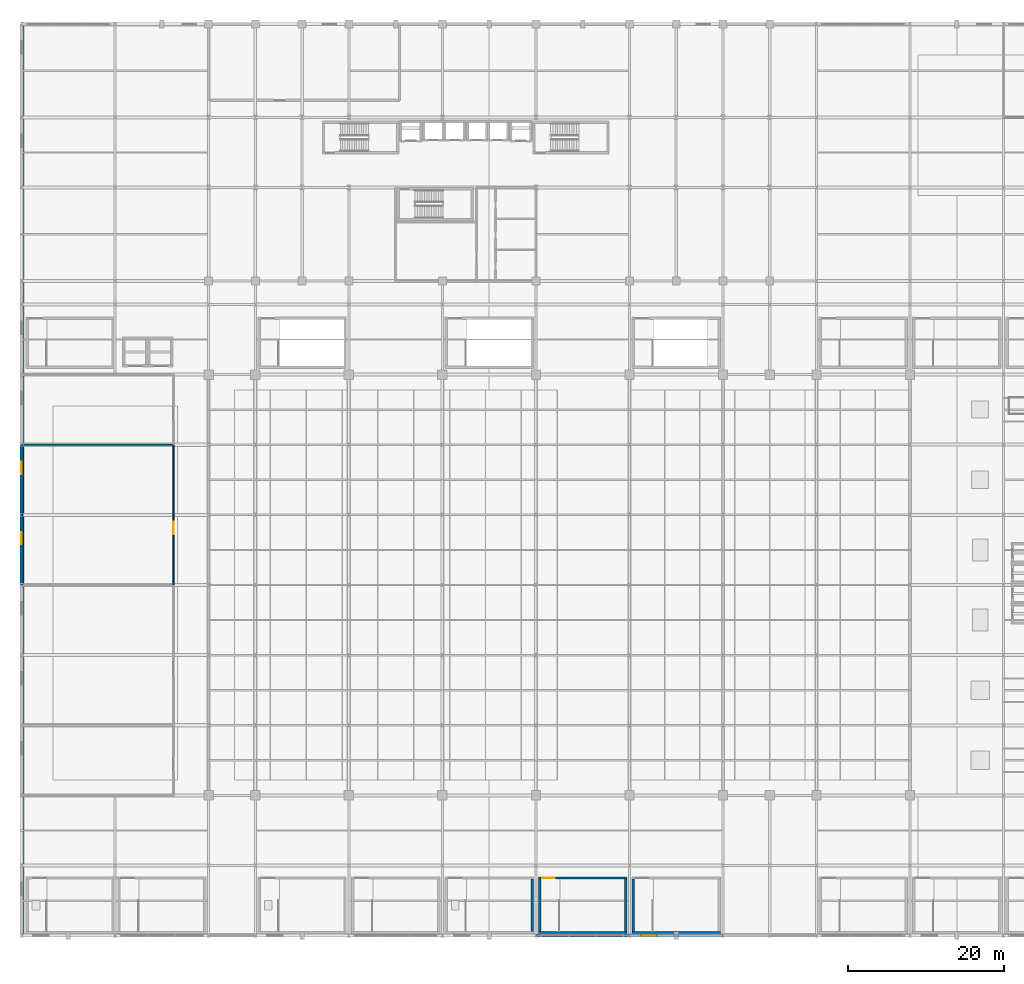
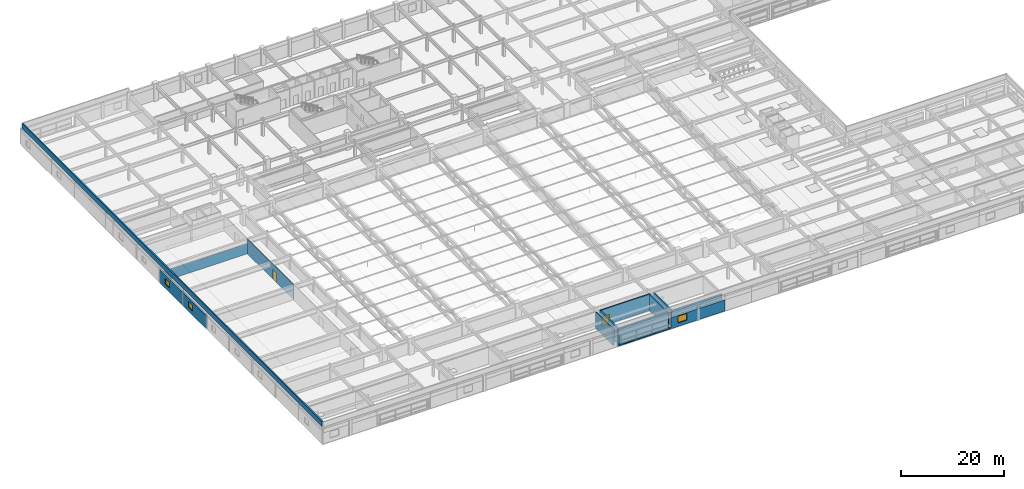
# One storey, part 90 of 108: 14 walls, 3 windows, 2 doors, 5 openings.
"""IFC4 building model written with IfcOpenShell, lengths in metres."""

from ifc_helpers import new_model, si_unit, direction, frame, frame_2d, origin, place, context, subcontext, project, spatial, rectangle, extrude, material, layer, layer_set, type_object, element, fill, save


model = new_model("IFC4")

# Units and contexts
model_context = context("Model", 3, precision=1e-05, world=origin(), true_north=direction((0.0, 1.0)))
body_context = subcontext(model_context, "Body", "Model", "MODEL_VIEW")
ifc_project = project(units=[si_unit("LENGTHUNIT", "METRE"), si_unit("AREAUNIT", "SQUARE_METRE"), si_unit("VOLUMEUNIT", "CUBIC_METRE"), si_unit("PLANEANGLEUNIT", "RADIAN"), si_unit("MASSUNIT", "GRAM", prefix="KILO")], contexts=[model_context])

# Site, building, storey
site_placement = place(None, origin())
site = spatial("IfcSite", under=ifc_project, at=site_placement, CompositionType="ELEMENT")
building_placement = place(site_placement, origin())
building = spatial("IfcBuilding", under=site, at=building_placement, Name="Kaldorvane Square Convention Centre", CompositionType="ELEMENT")
storey_placement = place(building_placement, frame((0.0, 0.0, 23.399993896484375)))
storey = spatial("IfcBuildingStorey", under=building, at=storey_placement, Name="L04", CompositionType="ELEMENT", Elevation=23.399993896484375)

# Wall, opening, window
ifc_material_1 = material(Name="Concrete f'c = 42 MPa (Normalweight)", Category="concrete")
ifc_layer_1 = layer(ifc_material_1, 0.3800048828125)
ifc_layer_set_1 = layer_set([ifc_layer_1], Name="Concrete f'c = 42 MPa (Normalweight)")
wall_type_1 = type_object("IfcWallType", Name="WL-EXT-380", PredefinedType="STANDARD", material=ifc_layer_set_1)
wall_1_placement = place(storey_placement, frame((78.0, 0.0, 0.0), z_axis=(0.0, 0.0, 1.0), x_axis=(1.0, 0.0, 0.0)))
wall_1 = element("IfcWall", 1, at=wall_1_placement, inside=storey, type_object=wall_type_1, Name="South Square Brutalist Facade Wall (L04)", PredefinedType="STANDARD", context=body_context, shape_type="SweptSolid", body=[
    extrude(rectangle(XDim=12.0, YDim=0.3800048828125, at=frame_2d((6.0, 0.0))), origin(), (0.0, 0.0, 1.0), 2.626007080078125),
])
opening_1_placement = place(wall_1_placement, frame((1.5, 0.0, 0.850006103515625)))
opening_1 = element("IfcOpeningElement", 2, at=opening_1_placement, cuts=wall_1, Name="Opening W-21", PredefinedType="OPENING", context=body_context, shape_type="SweptSolid", body=[
    extrude(rectangle(XDim=2.0, YDim=1.55999755859375, at=frame_2d((1.0, 0.779998779296875))), frame((0.0, 0.2050018310546875, 0.0), z_axis=(0.0, -1.0, 0.0), x_axis=(1.0, 0.0, 0.0)), (0.0, 0.0, 1.0), 0.410003662109375),
])
ifc_material_2 = material(Name="Anodized Aluminum and Low-E Insulated Glazing", Category="aluminium")
window_type_1 = type_object("IfcWindowType", Name="WN-POD-2000X1850", PartitioningType="DOUBLE_PANEL_VERTICAL", PredefinedType="WINDOW", material=ifc_material_2)
window_1_placement = place(opening_1_placement, origin())
window_1 = element("IfcWindow", 3, at=window_1_placement, inside=storey, type_object=window_type_1, Name="South Facade Window (L04)", OverallHeight=1.55999755859375, OverallWidth=2.0, PartitioningType="DOUBLE_PANEL_VERTICAL", PredefinedType="WINDOW", context=body_context, shape_type="SweptSolid", body=[
    extrude(rectangle(XDim=2.0, YDim=1.55999755859375, at=frame_2d((1.0, 0.779998779296875))), frame((0.0, 0.029998779296875, 0.0), z_axis=(0.0, -1.0, 0.0), x_axis=(1.0, 0.0, 0.0)), (0.0, 0.0, 1.0), 0.05999755859375),
])
fill(opening_1, window_1)

wall_2_placement = place(storey_placement, frame((0.0, 54.0, 0.0), z_axis=(0.0, 0.0, 1.0), x_axis=(0.0, -1.0, 0.0)))
wall_2 = element("IfcWall", 4, at=wall_2_placement, inside=storey, type_object=wall_type_1, Name="West Brutalist Facade Wall (L04)", PredefinedType="STANDARD", context=body_context, shape_type="SweptSolid", body=[
    extrude(rectangle(XDim=9.0, YDim=0.3800048828125, at=frame_2d((4.5, 0.0))), origin(), (0.0, 0.0, 1.0), 3.1190032958984375),
])
opening_2_placement = place(wall_2_placement, frame((2.1999969482421875, 0.0, 1.0)))
opening_2 = element("IfcOpeningElement", 5, at=opening_2_placement, cuts=wall_2, Name="Opening W-23", PredefinedType="OPENING", context=body_context, shape_type="SweptSolid", body=[
    extrude(rectangle(XDim=1.600006103515625, YDim=1.3600006103515625, at=frame_2d((0.8000030517578125, 0.67999267578125))), frame((0.0, 0.2050018310546875, 0.0), z_axis=(0.0, -1.0, 0.0), x_axis=(1.0, 0.0, 0.0)), (0.0, 0.0, 1.0), 0.410003662109375),
])
window_type_2 = type_object("IfcWindowType", Name="WN-POD-1600X1650", PartitioningType="SINGLE_PANEL", PredefinedType="WINDOW", material=ifc_material_2)
window_2_placement = place(opening_2_placement, origin())
window_2 = element("IfcWindow", 6, at=window_2_placement, inside=storey, type_object=window_type_2, Name="West Facade Window (L04)", OverallHeight=1.3600006103515625, OverallWidth=1.600006103515625, PartitioningType="SINGLE_PANEL", PredefinedType="WINDOW", context=body_context, shape_type="SweptSolid", body=[
    extrude(rectangle(XDim=1.600006103515625, YDim=1.3600006103515625, at=frame_2d((0.8000030517578125, 0.67999267578125))), frame((0.0, 0.029998779296875, 0.0), z_axis=(0.0, -1.0, 0.0), x_axis=(1.0, 0.0, 0.0)), (0.0, 0.0, 1.0), 0.05999755859375),
])
fill(opening_2, window_2)

wall_3_placement = place(storey_placement, frame((0.0, 63.0, 0.0), z_axis=(0.0, 0.0, 1.0), x_axis=(0.0, -1.0, 0.0)))
wall_3 = element("IfcWall", 7, at=wall_3_placement, inside=storey, type_object=wall_type_1, Name="West Brutalist Facade Wall (L04)", PredefinedType="STANDARD", context=body_context, shape_type="SweptSolid", body=[
    extrude(rectangle(XDim=9.0, YDim=0.3800048828125, at=frame_2d((4.5, 0.0))), origin(), (0.0, 0.0, 1.0), 3.1190032958984375),
])
opening_3_placement = place(wall_3_placement, frame((2.1999969482421875, 0.0, 1.0)))
opening_3 = element("IfcOpeningElement", 8, at=opening_3_placement, cuts=wall_3, Name="Opening W-23", PredefinedType="OPENING", context=body_context, shape_type="SweptSolid", body=[
    extrude(rectangle(XDim=1.600006103515625, YDim=1.3600006103515625, at=frame_2d((0.8000030517578125, 0.67999267578125))), frame((0.0, 0.2050018310546875, 0.0), z_axis=(0.0, -1.0, 0.0), x_axis=(1.0, 0.0, 0.0)), (0.0, 0.0, 1.0), 0.410003662109375),
])
window_3_placement = place(opening_3_placement, origin())
window_3 = element("IfcWindow", 9, at=window_3_placement, inside=storey, type_object=window_type_2, Name="West Facade Window (L04)", OverallHeight=1.3600006103515625, OverallWidth=1.600006103515625, PartitioningType="SINGLE_PANEL", PredefinedType="WINDOW", context=body_context, shape_type="SweptSolid", body=[
    extrude(rectangle(XDim=1.600006103515625, YDim=1.3600006103515625, at=frame_2d((0.8000030517578125, 0.67999267578125))), frame((0.0, 0.029998779296875, 0.0), z_axis=(0.0, -1.0, 0.0), x_axis=(1.0, 0.0, 0.0)), (0.0, 0.0, 1.0), 0.05999755859375),
])
fill(opening_3, window_3)

# Walls
ifc_material_3 = material(Name="Concrete f'c = 35 MPa (Normalweight)", Category="concrete")
ifc_layer_2 = layer(ifc_material_3, 0.279998779296875)
ifc_layer_set_2 = layer_set([ifc_layer_2], Name="Concrete f'c = 35 MPa (Normalweight)")
wall_type_2 = type_object("IfcWallType", Name="WL-PAR-280", PredefinedType="PARAPET", material=ifc_layer_set_2)
wall_4_placement = place(storey_placement, frame((66.0, 0.0, 0.0), z_axis=(0.0, 0.0, 1.0), x_axis=(1.0, 0.0, 0.0)))
element("IfcWall", 10, at=wall_4_placement, inside=storey, type_object=wall_type_2, Name="Curtain-Wall Sill Kerb (L04)", PredefinedType="PARAPET", context=body_context, shape_type="SweptSolid", body=[
    extrude(rectangle(XDim=12.0, YDim=0.279998779296875, at=frame_2d((6.0, 0.0))), origin(), (0.0, 0.0, 1.0), 0.20001220703125),
])
wall_5_placement = place(storey_placement, frame((0.1399993896484375, 116.72000122070312, 3.850006103515625), z_axis=(0.0, 0.0, 1.0), x_axis=(0.0, -1.0, 0.0)))
element("IfcWall", 11, at=wall_5_placement, inside=storey, type_object=wall_type_2, Name="Podium Roof Parapet W", PredefinedType="PARAPET", context=body_context, shape_type="SweptSolid", body=[
    extrude(rectangle(XDim=116.44000244140625, YDim=0.279998779296875, at=frame_2d((58.220001220703125, 0.0))), origin(), (0.0, 0.0, 1.0), 1.1999969482421875),
])

# Wall, opening, door
ifc_material_4 = material(Name="Fire-Rated Gypsum Board on Acoustic Steel Studs", Category="steel")
ifc_layer_3 = layer(ifc_material_4, 0.1649932861328125)
ifc_layer_set_3 = layer_set([ifc_layer_3], Name="Fire-Rated Gypsum Board on Acoustic Steel Studs")
wall_type_3 = type_object("IfcWallType", Name="WL-PART-165", PredefinedType="PARTITIONING", material=ifc_layer_set_3)
wall_6_placement = place(storey_placement, frame((19.5, 45.0, 0.0), z_axis=(0.0, 0.0, 1.0), x_axis=(0.0, 1.0, 0.0)))
wall_6 = element("IfcWall", 12, at=wall_6_placement, inside=storey, type_object=wall_type_3, Name="Meeting Room 403 E Wall", PredefinedType="PARTITIONING", context=body_context, shape_type="SweptSolid", body=[
    extrude(rectangle(XDim=18.0, YDim=0.1649932861328125, at=frame_2d((9.0, 0.0))), origin(), (0.0, 0.0, 1.0), 3.529998779296875),
])
opening_4_placement = place(wall_6_placement, frame((6.5, 0.0, 0.0)))
opening_4 = element("IfcOpeningElement", 13, at=opening_4_placement, cuts=wall_6, Name="Opening ID-07", PredefinedType="OPENING", context=body_context, shape_type="SweptSolid", body=[
    extrude(rectangle(XDim=1.600006103515625, YDim=2.25, at=frame_2d((0.8000030517578125, 1.125))), frame((0.0, 0.097503662109375, 0.0), z_axis=(0.0, -1.0, 0.0), x_axis=(1.0, 0.0, 0.0)), (0.0, 0.0, 1.0), 0.1949920654296875),
])
ifc_material_5 = material(Name="Architectural Solid-Core White Oak")
door_type_1 = type_object("IfcDoorType", Name="DR-MEET-1600X2250", OperationType="DOUBLE_DOOR_SINGLE_SWING", PredefinedType="DOOR", material=ifc_material_5)
door_1_placement = place(opening_4_placement, origin())
door_1 = element("IfcDoor", 14, at=door_1_placement, inside=storey, type_object=door_type_1, Name="Meeting Room 403 Door 1", OperationType="DOUBLE_DOOR_SINGLE_SWING", OverallHeight=2.25, OverallWidth=1.600006103515625, PredefinedType="DOOR", context=body_context, shape_type="SweptSolid", body=[
    extrude(rectangle(XDim=1.600006103515625, YDim=2.25, at=frame_2d((0.8000030517578125, 1.125))), frame((0.0, 0.024993896484375, 0.0), z_axis=(0.0, -1.0, 0.0), x_axis=(1.0, 0.0, 0.0)), (0.0, 0.0, 1.0), 0.0500030517578125),
])
fill(opening_4, door_1)

# Walls
wall_7_placement = place(storey_placement, frame((19.5, 63.0, 0.0), z_axis=(0.0, 0.0, 1.0), x_axis=(-1.0, 0.0, 0.0)))
element("IfcWall", 15, at=wall_7_placement, inside=storey, type_object=wall_type_3, Name="Meeting Room 403 N Wall", PredefinedType="PARTITIONING", context=body_context, shape_type="SweptSolid", body=[
    extrude(rectangle(XDim=19.30999755859375, YDim=0.1649932861328125, at=frame_2d((9.654998779296875, 0.0))), origin(), (0.0, 0.0, 1.0), 2.4080047607421875),
])
ifc_material_6 = material(Name="Concrete f'c = 55 MPa (Normalweight)", Category="concrete")
ifc_layer_4 = layer(ifc_material_6, 0.3000030517578125)
ifc_layer_set_4 = layer_set([ifc_layer_4], Name="Concrete f'c = 55 MPa (Normalweight)")
wall_type_4 = type_object("IfcWallType", Name="WL-SHAFT-300", PredefinedType="SHEAR", material=ifc_layer_set_4)
wall_8_placement = place(storey_placement, frame((65.50999450683594, 0.5500030517578125, 0.0), z_axis=(0.0, 0.0, 1.0), x_axis=(0.0, 1.0, 0.0)))
element("IfcWall", 16, at=wall_8_placement, inside=storey, type_object=wall_type_4, Name="Core Enclosure Wall stair:ST-C5-E (L04)", PredefinedType="SHEAR", context=body_context, shape_type="SweptSolid", body=[
    extrude(rectangle(XDim=6.709991455078125, YDim=0.3000030517578125, at=frame_2d((3.3549957275390625, 0.0))), origin(), (0.0, 0.0, 1.0), 3.850006103515625),
])
wall_9_placement = place(storey_placement, frame((77.66000366210938, 0.399993896484375, 0.0), z_axis=(0.0, 0.0, 1.0), x_axis=(-1.0, 0.0, 0.0)))
element("IfcWall", 17, at=wall_9_placement, inside=storey, type_object=wall_type_4, Name="Core Enclosure Wall stair:ST-C6-S (L04)", PredefinedType="SHEAR", context=body_context, shape_type="SweptSolid", body=[
    extrude(rectangle(XDim=11.32000732421875, YDim=0.3000030517578125, at=frame_2d((5.660003662109375, 0.0))), origin(), (0.0, 0.0, 1.0), 3.850006103515625),
])

# Wall, opening, door
wall_10_placement = place(storey_placement, frame((77.66000366210938, 7.410003662109375, 0.0), z_axis=(0.0, 0.0, 1.0), x_axis=(-1.0, 0.0, 0.0)))
wall_10 = element("IfcWall", 18, at=wall_10_placement, inside=storey, type_object=wall_type_4, Name="Core Enclosure Wall stair:ST-C6-N (L04)", PredefinedType="SHEAR", context=body_context, shape_type="SweptSolid", body=[
    extrude(rectangle(XDim=11.32000732421875, YDim=0.3000030517578125, at=frame_2d((5.660003662109375, 0.0))), origin(), (0.0, 0.0, 1.0), 3.850006103515625),
])
opening_5_placement = place(wall_10_placement, frame((9.220001220703125, 0.0, 0.0)))
opening_5 = element("IfcOpeningElement", 19, at=opening_5_placement, cuts=wall_10, Name="Opening FD90-S2", PredefinedType="OPENING", context=body_context, shape_type="SweptSolid", body=[
    extrude(rectangle(XDim=1.649993896484375, YDim=2.25, at=frame_2d((0.8249969482421875, 1.125))), frame((0.0, 0.165008544921875, 0.0), z_axis=(0.0, -1.0, 0.0), x_axis=(1.0, 0.0, 0.0)), (0.0, 0.0, 1.0), 0.3300018310546875),
])
ifc_material_7 = material(Name="Fire-Rated Hollow Metal Steel", Category="steel")
door_type_2 = type_object("IfcDoorType", Name="DR-STAIR-1650", OperationType="DOUBLE_DOOR_SINGLE_SWING", PredefinedType="DOOR", material=ifc_material_7)
door_2_placement = place(opening_5_placement, origin())
door_2 = element("IfcDoor", 20, at=door_2_placement, inside=storey, type_object=door_type_2, Name="Convention Exit Stair C6 Fire Door (L04)", OperationType="DOUBLE_DOOR_SINGLE_SWING", OverallHeight=2.25, OverallWidth=1.649993896484375, PredefinedType="DOOR", context=body_context, shape_type="SweptSolid", body=[
    extrude(rectangle(XDim=1.649993896484375, YDim=2.25, at=frame_2d((0.8249969482421875, 1.125))), frame((0.0, 0.024993896484375, 0.0), z_axis=(0.0, -1.0, 0.0), x_axis=(1.0, 0.0, 0.0)), (0.0, 0.0, 1.0), 0.0500030517578125),
])
fill(opening_5, door_2)

# Walls
for number, where, z_axis, x_axis, name in (
    (21, (66.49000549316406, 7.2599945068359375, 0.0), (0.0, 0.0, 1.0), (0.0, -1.0, 0.0), "Core Enclosure Wall stair:ST-C6-W (L04)"),
    (22, (77.50999450683594, 0.5500030517578125, 0.0), (0.0, 0.0, 1.0), (0.0, 1.0, 0.0), "Core Enclosure Wall stair:ST-C6-E (L04)"),
):
    element("IfcWall", number, at=place(storey_placement, frame(where, z_axis=z_axis, x_axis=x_axis)), inside=storey, type_object=wall_type_4, Name=name, PredefinedType="SHEAR", context=body_context, shape_type="SweptSolid", body=[
        extrude(rectangle(XDim=6.709991455078125, YDim=0.3000030517578125, at=frame_2d((3.3549957275390625, 0.0))), origin(), (0.0, 0.0, 1.0), 3.850006103515625),
    ])
wall_11_placement = place(storey_placement, frame((89.66000366210938, 0.399993896484375, 0.0), z_axis=(0.0, 0.0, 1.0), x_axis=(-1.0, 0.0, 0.0)))
element("IfcWall", 23, at=wall_11_placement, inside=storey, type_object=wall_type_4, Name="Core Enclosure Wall stair:ST-C7-S (L04)", PredefinedType="SHEAR", context=body_context, shape_type="SweptSolid", body=[
    extrude(rectangle(XDim=11.32000732421875, YDim=0.3000030517578125, at=frame_2d((5.660003662109375, 0.0))), origin(), (0.0, 0.0, 1.0), 3.850006103515625),
])
wall_12_placement = place(storey_placement, frame((78.49000549316406, 7.2599945068359375, 0.0), z_axis=(0.0, 0.0, 1.0), x_axis=(0.0, -1.0, 0.0)))
element("IfcWall", 24, at=wall_12_placement, inside=storey, type_object=wall_type_4, Name="Core Enclosure Wall stair:ST-C7-W (L04)", PredefinedType="SHEAR", context=body_context, shape_type="SweptSolid", body=[
    extrude(rectangle(XDim=6.709991455078125, YDim=0.3000030517578125, at=frame_2d((3.3549957275390625, 0.0))), origin(), (0.0, 0.0, 1.0), 3.850006103515625),
])

save(model, "model.ifc")
